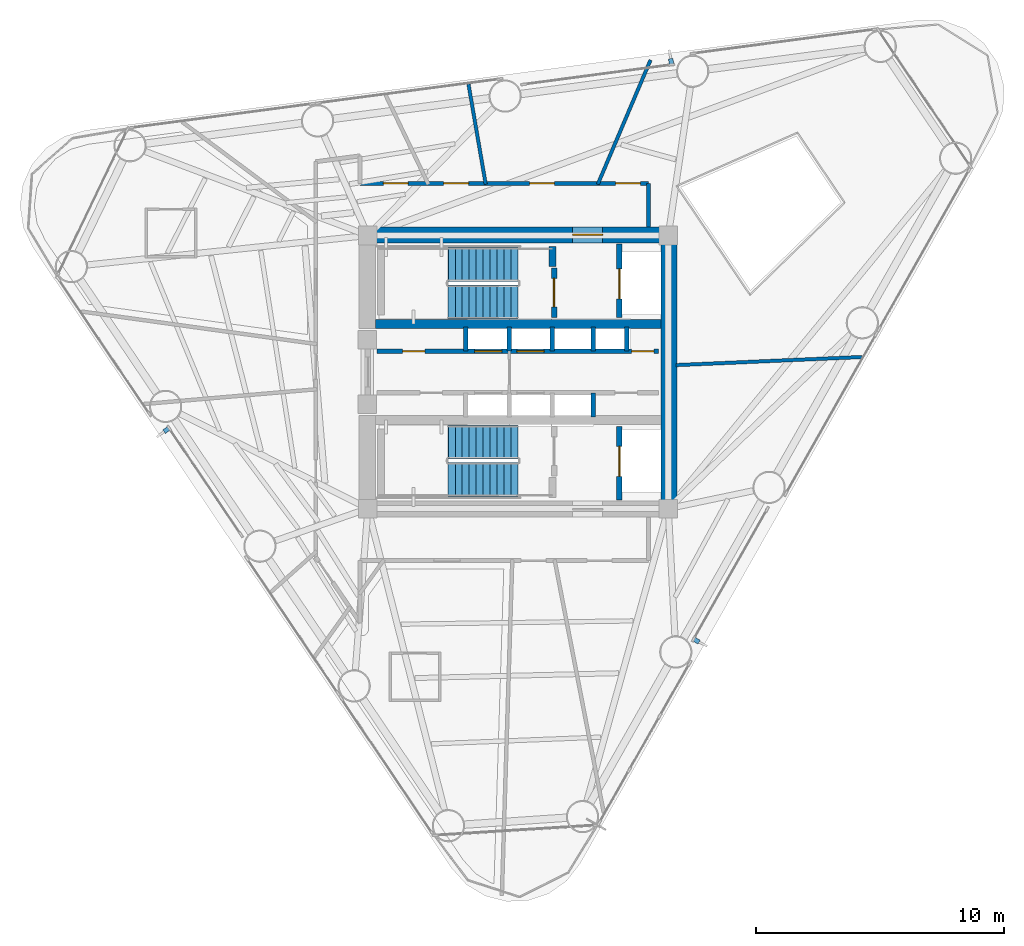
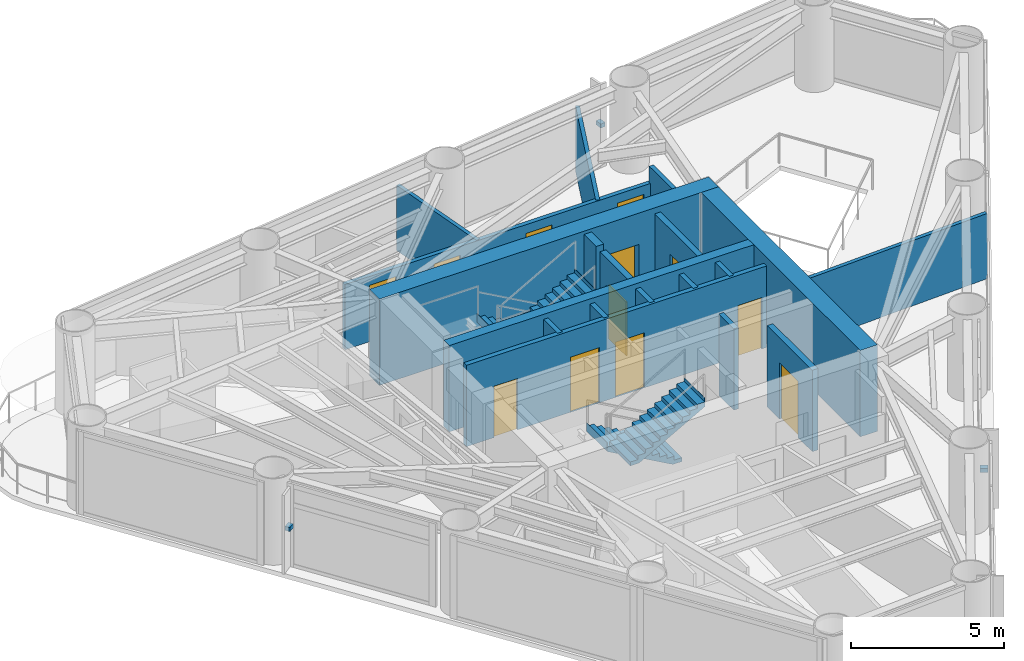
# One storey, part 6 of 9: 19 walls, 12 doors, 4 stair flights, 3 discrete accessories, 12 openings, 2 elements without a shape of their own.
"""IFC4 building model written with IfcOpenShell, lengths in metres."""

import ifcopenshell
import ifcopenshell.guid

model = None  # the IFC model being written
_history = None  # IfcOwnerHistory: only IFC2X3 demands one
_inside = {}  # id of a spatial element -> (the spatial element, [elements in it])
_under = {}  # id of a project, library or spatial element -> (it, [spatial elements below it])
_declared = {}  # id of a project -> (the project, [libraries it declares])
_typed = {}  # id of a type object -> (the type object, [elements of that type])
_made_of = {}  # id of a material, layer set ... -> (it, [elements and type objects made of it])


def new_model(schema):
    """Start an empty IFC model of exactly this schema.

    Asked for "IFC4X3", IfcOpenShell would pick the latest addendum, in which some entities
    have other attributes; the version numbers below select the first issue.
    IFC2X3 requires an IfcOwnerHistory on every rooted entity: one is made here for all.
    """
    global model, _history
    if schema == "IFC4X3":
        model = ifcopenshell.file(schema_version=(4, 3, 0, 0))
    else:
        model = ifcopenshell.file(schema=schema)
    _inside.clear()
    _under.clear()
    _declared.clear()
    _typed.clear()
    _made_of.clear()
    _history = None
    if model.schema == "IFC2X3":
        org = make("IfcOrganization", Name="unknown")
        user = make(
            "IfcPersonAndOrganization",
            ThePerson=make("IfcPerson", FamilyName="unknown"),
            TheOrganization=org,
        )
        app = make(
            "IfcApplication",
            ApplicationDeveloper=org,
            Version="unknown",
            ApplicationFullName="unknown",
            ApplicationIdentifier="unknown",
        )
        _history = make(
            "IfcOwnerHistory",
            OwningUser=user,
            OwningApplication=app,
            ChangeAction="ADDED",
            CreationDate=0,
        )
    return model


def make(cls, **values):
    """One entity of the class cls with the attributes given. An attribute that is None is left unset."""
    return model.create_entity(
        cls, **{name: value for name, value in values.items() if value is not None}
    )


def rooted(cls, **values):
    """An entity with a GlobalId (a new one), such as an element, a storey or a relation."""
    return make(cls, GlobalId=ifcopenshell.guid.new(), OwnerHistory=_history, **values)


def si_unit(unit_type, name, prefix=None):
    """IfcSIUnit, for example si_unit("LENGTHUNIT", "METRE", prefix="MILLI")."""
    return make("IfcSIUnit", UnitType=unit_type, Prefix=prefix, Name=name)


def assignment(units):
    """IfcUnitAssignment: the units of a project."""
    return None if units is None else make("IfcUnitAssignment", Units=units)


def point(xyz):
    """IfcCartesianPoint."""
    return None if xyz is None else make("IfcCartesianPoint", Coordinates=xyz)


def direction(xyz):
    """IfcDirection."""
    return None if xyz is None else make("IfcDirection", DirectionRatios=xyz)


def frame(location, z_axis=None, x_axis=None):
    """IfcAxis2Placement3D, a coordinate frame: its origin and axes. An axis left out is left unset."""
    return make(
        "IfcAxis2Placement3D",
        Location=point(location),
        Axis=direction(z_axis),
        RefDirection=direction(x_axis),
    )


def frame_2d(location, x_axis=None):
    """IfcAxis2Placement2D, a coordinate frame in the plane: its origin and x axis."""
    return make(
        "IfcAxis2Placement2D", Location=point(location), RefDirection=direction(x_axis)
    )


def origin():
    """The frame at (0, 0, 0) with its axes left unset."""
    return frame((0.0, 0.0, 0.0))


def origin_2d():
    """The frame at (0, 0) in the plane with its x axis left unset."""
    return frame_2d((0.0, 0.0))


def place(relative_to, where):
    """IfcLocalPlacement: puts the frame where relative to a parent placement (None: the world)."""
    return make(
        "IfcLocalPlacement", PlacementRelTo=relative_to, RelativePlacement=where
    )


def context(
    kind, dimensions, precision=None, world=None, true_north=None, identifier=None
):
    """IfcGeometricRepresentationContext, for example the 3D "Model" context."""
    return make(
        "IfcGeometricRepresentationContext",
        ContextIdentifier=identifier,
        ContextType=kind,
        CoordinateSpaceDimension=dimensions,
        Precision=precision,
        WorldCoordinateSystem=world,
        TrueNorth=true_north,
    )


def subcontext(parent, identifier, kind, view, scale=None):
    """IfcGeometricRepresentationSubContext, for example "Body" below "Model"."""
    return make(
        "IfcGeometricRepresentationSubContext",
        ContextIdentifier=identifier,
        ContextType=kind,
        ParentContext=parent,
        TargetScale=scale,
        TargetView=view,
    )


def project(units=None, contexts=None):
    """IfcProject with its units and contexts."""
    return rooted(
        "IfcProject",
        Name="project",
        RepresentationContexts=contexts,
        UnitsInContext=assignment(units),
    )


def spatial(cls, under=None, at=None, **own):
    """A site, building, storey or space (cls), placed at a placement, below another one or the project."""
    s = rooted(cls, ObjectPlacement=at, **own)
    if under is not None:
        _under.setdefault(under.id(), (under, []))[1].append(s)
    return s


def polyline(points):
    """IfcPolyline through the points."""
    return make("IfcPolyline", Points=[point(p) for p in points])


def profile(cls, at=None, kind="AREA", **sizes):
    """A parametric profile (cls). Its sizes go by their IFC names, for example OverallWidth=200.0."""
    return make(cls, ProfileType=kind, Position=at, **sizes)


def rectangle(**sizes):
    """IfcRectangleProfileDef."""
    return profile("IfcRectangleProfileDef", **sizes)


def outline(outer, holes=None, kind="AREA"):
    """IfcArbitraryClosedProfileDef: a profile drawn as a closed curve; with holes, ...WithVoids."""
    if holes is None:
        return make("IfcArbitraryClosedProfileDef", ProfileType=kind, OuterCurve=outer)
    return make(
        "IfcArbitraryProfileDefWithVoids",
        ProfileType=kind,
        OuterCurve=outer,
        InnerCurves=holes,
    )


def extrude(swept, where, along, depth):
    """IfcExtrudedAreaSolid: the profile swept, set in the frame where, extruded along a direction by depth."""
    return make(
        "IfcExtrudedAreaSolid",
        SweptArea=swept,
        Position=where,
        ExtrudedDirection=direction(along),
        Depth=depth,
    )


def shape(context_of_items, identifier, shape_type, items):
    """IfcShapeRepresentation: the items that make up one representation, for example the "Body"."""
    return make(
        "IfcShapeRepresentation",
        ContextOfItems=context_of_items,
        RepresentationIdentifier=identifier,
        RepresentationType=shape_type,
        Items=items,
    )


def source(mapping_origin, context_of_items, identifier, shape_type, items):
    """IfcRepresentationMap: a shape defined once, which mapped items show again and again."""
    return make(
        "IfcRepresentationMap",
        MappingOrigin=mapping_origin,
        MappedRepresentation=shape(context_of_items, identifier, shape_type, items),
    )


def transform(
    local_origin,
    x_axis=None,
    y_axis=None,
    z_axis=None,
    scale=None,
    scale2=None,
    scale3=None,
    uniform=True,
):
    """IfcCartesianTransformationOperator3D, or its non-uniform kind. x_axis, y_axis, z_axis: its Axis1, 2, 3."""
    if uniform:
        return make(
            "IfcCartesianTransformationOperator3D",
            Axis1=direction(x_axis),
            Axis2=direction(y_axis),
            LocalOrigin=point(local_origin),
            Scale=scale,
            Axis3=direction(z_axis),
        )
    return make(
        "IfcCartesianTransformationOperator3DnonUniform",
        Axis1=direction(x_axis),
        Axis2=direction(y_axis),
        LocalOrigin=point(local_origin),
        Scale=scale,
        Axis3=direction(z_axis),
        Scale2=scale2,
        Scale3=scale3,
    )


def mapped(mapping_source, mapping_target):
    """IfcMappedItem: shows the shape of a source again, moved by a transform."""
    return make(
        "IfcMappedItem", MappingSource=mapping_source, MappingTarget=mapping_target
    )


def material(Name=None, Category=None):
    """IfcMaterial."""
    return make("IfcMaterial", Name=Name, Category=Category)


def layer(
    of_material, thickness, ventilated=None, Name=None, Category=None, Priority=None
):
    """IfcMaterialLayer: one layer of a wall or slab, of a material (None: an air gap)."""
    return make(
        "IfcMaterialLayer",
        Material=of_material,
        LayerThickness=thickness,
        IsVentilated=ventilated,
        Name=Name,
        Category=Category,
        Priority=Priority,
    )


def layer_set(layers, Name=None):
    """IfcMaterialLayerSet."""
    return make("IfcMaterialLayerSet", MaterialLayers=layers, LayerSetName=Name)


def made_of(thing, what):
    """Note that an element or type object is made of a material, layer set ...; save() writes the relation."""
    if what is not None:
        _made_of.setdefault(what.id(), (what, []))[1].append(thing)
    return thing


def type_object(cls, material=None, **own):
    """A type object (cls), such as IfcWallType, which elements share."""
    return made_of(rooted(cls, **own), material)


def element(
    cls,
    number,
    at=None,
    inside=None,
    cuts=None,
    type_object=None,
    material=None,
    context=None,
    identifier="Body",
    shape_type=None,
    held_by="IfcProductDefinitionShape",
    body=None,
    shapes=None,
    **own,
):
    """One element of the class cls, such as IfcWall. Its Tag is "e" and its number.

    at: its placement. inside: the storey or other place that contains it. cuts: it is an
    opening in that element (IfcRelVoidsElement). A single representation is given by context,
    identifier, shape_type and body (its items); several are given by shapes. held_by: the class
    of the entity that holds the representations. save() writes the other relations.
    """
    e = rooted(cls, Tag="e%d" % number, ObjectPlacement=at, **own)
    if body is not None:
        shapes = [shape(context, identifier, shape_type, body)]
    if shapes is not None:
        e.Representation = make(held_by, Representations=shapes)
    if inside is not None:
        _inside.setdefault(inside.id(), (inside, []))[1].append(e)
    if cuts is not None:
        rooted(
            "IfcRelVoidsElement", RelatingBuildingElement=cuts, RelatedOpeningElement=e
        )
    if type_object is not None:
        _typed.setdefault(type_object.id(), (type_object, []))[1].append(e)
    return made_of(e, material)


def fill(opening, filler):
    """IfcRelFillsElement: the door or window that sits in an opening."""
    return rooted(
        "IfcRelFillsElement",
        RelatingOpeningElement=opening,
        RelatedBuildingElement=filler,
    )


def aggregate(whole, parts):
    """IfcRelAggregates: a whole, such as a stair, and the parts it consists of."""
    return rooted("IfcRelAggregates", RelatingObject=whole, RelatedObjects=parts)


def save(model, path):
    """Write the relations noted so far, then the file.

    IfcRelAggregates (storeys below a building ...), IfcRelContainedInSpatialStructure (elements
    in a storey), IfcRelDefinesByType, IfcRelAssociatesMaterial and IfcRelDeclares: one each for
    every whole, place, type object, material and project.
    """
    for whole, parts in _under.values():
        aggregate(whole, parts)
    for where, things in _inside.values():
        rooted(
            "IfcRelContainedInSpatialStructure",
            RelatedElements=things,
            RelatingStructure=where,
        )
    for kind, things in _typed.values():
        rooted("IfcRelDefinesByType", RelatedObjects=things, RelatingType=kind)
    for what, things in _made_of.values():
        rooted("IfcRelAssociatesMaterial", RelatedObjects=things, RelatingMaterial=what)
    for by, libraries in _declared.values():
        rooted("IfcRelDeclares", RelatingContext=by, RelatedDefinitions=libraries)
    model.write(path)


model = new_model("IFC4")

# Units and contexts
model_context = context("Model", 3, precision=1e-05, world=origin(), true_north=direction((0.0, 1.0)))
body_context = subcontext(model_context, "Body", "Model", "MODEL_VIEW")
ifc_project = project(units=[si_unit("LENGTHUNIT", "METRE"), si_unit("AREAUNIT", "SQUARE_METRE"), si_unit("VOLUMEUNIT", "CUBIC_METRE"), si_unit("PLANEANGLEUNIT", "RADIAN"), si_unit("MASSUNIT", "GRAM", prefix="KILO")], contexts=[model_context])

# Site, building, storey
site_placement = place(None, origin())
site = spatial("IfcSite", under=ifc_project, at=site_placement, CompositionType="ELEMENT")
building_placement = place(site_placement, origin())
building = spatial("IfcBuilding", under=site, at=building_placement, Name="Yunling Apex Tower", CompositionType="ELEMENT")
storey_placement = place(building_placement, frame((0.0, 0.0, 179.449951171875)))
storey = spatial("IfcBuildingStorey", under=building, at=storey_placement, Name="L44", CompositionType="ELEMENT", Elevation=179.449951171875)

# Wall, opening, door
ifc_material_1 = material(Name="Concrete C50", Category="concrete")
ifc_layer_1 = layer(ifc_material_1, 0.64990234375)
ifc_layer_set_1 = layer_set([ifc_layer_1], Name="Concrete C50")
wall_type_1 = type_object("IfcWallType", Name="WL-COR-2", PredefinedType="SHEAR", material=ifc_layer_set_1)
wall_1_placement = place(storey_placement, frame((-6.39990234375, 5.52490234375, 0.0), z_axis=(0.0, 0.0, 1.0), x_axis=(1.0, 0.0, 0.0)))
wall_1 = element("IfcWall", 1, at=wall_1_placement, inside=storey, type_object=wall_type_1, Name="L44 North Core Shear Wall", PredefinedType="SHEAR", context=body_context, shape_type="SweptSolid", body=[
    extrude(rectangle(XDim=12.7998046875, YDim=0.64990234375, at=frame_2d((6.39990234375, 0.0))), origin(), (0.0, 0.0, 1.0), 3.449951171875),
])
opening_1_placement = place(wall_1_placement, frame((8.60009765625, 0.0, 0.0)))
opening_1 = element("IfcOpeningElement", 2, at=opening_1_placement, cuts=wall_1, Name="Opening DR-FFL-1", PredefinedType="OPENING", context=body_context, shape_type="SweptSolid", body=[
    extrude(rectangle(XDim=1.199951171875, YDim=2.199951171875, at=frame_2d((0.60009765625, 1.10009765625))), frame((0.0, 0.3349609375, 0.0), z_axis=(0.0, -1.0, 0.0), x_axis=(1.0, 0.0, 0.0)), (0.0, 0.0, 1.0), 0.669921875),
])
ifc_material_2 = material(Name="Steel Q355B", Category="steel")
door_type_1 = type_object("IfcDoorType", Name="DR-FFL-1", OperationType="NOTDEFINED", PredefinedType="DOOR", material=ifc_material_2)
door_1_placement = place(opening_1_placement, origin())
door_1 = element("IfcDoor", 3, at=door_1_placement, inside=storey, type_object=door_type_1, Name="L44 North Firefighting Lobby Door", OperationType="SINGLE_SWING_LEFT", OverallHeight=2.199951171875, OverallWidth=1.199951171875, PredefinedType="DOOR", context=body_context, shape_type="SweptSolid", body=[
    extrude(rectangle(XDim=1.199951171875, YDim=2.199951171875, at=frame_2d((0.60009765625, 1.10009765625))), frame((0.0, 0.02490234375, 0.0), z_axis=(0.0, -1.0, 0.0), x_axis=(1.0, 0.0, 0.0)), (0.0, 0.0, 1.0), 0.050048828125),
])
fill(opening_1, door_1)

# Walls
wall_2_placement = place(storey_placement, frame((6.074951171875, -5.199951171875, 0.0), z_axis=(0.0, 0.0, 1.0), x_axis=(0.0, 1.0, 0.0)))
element("IfcWall", 4, at=wall_2_placement, inside=storey, type_object=wall_type_1, Name="L44 East Core Shear Wall", PredefinedType="SHEAR", context=body_context, shape_type="SweptSolid", body=[
    extrude(rectangle(XDim=10.39990234375, YDim=0.64990234375, at=frame_2d((5.199951171875, 0.0))), origin(), (0.0, 0.0, 1.0), 3.449951171875),
])
ifc_material_3 = material(Name="Concrete C40", Category="concrete")
ifc_layer_2 = layer(ifc_material_3, 0.360107421875)
ifc_layer_set_2 = layer_set([ifc_layer_2], Name="Concrete C40")
wall_type_2 = type_object("IfcWallType", Name="WL-COR-4", PredefinedType="SHEAR", material=ifc_layer_set_2)
wall_3_placement = place(storey_placement, frame((-5.75, 1.93994140625, 0.0), z_axis=(0.0, 0.0, 1.0), x_axis=(1.0, 0.0, 0.0)))
element("IfcWall", 5, at=wall_3_placement, inside=storey, type_object=wall_type_2, Name="L44 North Internal Core Shear Wall", PredefinedType="SHEAR", context=body_context, shape_type="SweptSolid", body=[
    extrude(rectangle(XDim=11.5, YDim=0.360107421875, at=frame_2d((5.75, 0.0))), origin(), (0.0, 0.0, 1.0), 3.449951171875),
])
ifc_layer_3 = layer(ifc_material_3, 0.280029296875)
ifc_layer_set_3 = layer_set([ifc_layer_3], Name="Concrete C40")
wall_type_3 = type_object("IfcWallType", Name="WL-COR-8", PredefinedType="SHEAR", material=ifc_layer_set_3)
wall_4_placement = place(storey_placement, frame((1.3798828125, 4.25, 0.0), z_axis=(0.0, 0.0, 1.0), x_axis=(0.0, 1.0, 0.0)))
element("IfcWall", 6, at=wall_4_placement, inside=storey, type_object=wall_type_3, Name="L44 ST-1 East Landing Bearing Pier", PredefinedType="SHEAR", context=body_context, shape_type="SweptSolid", body=[
    extrude(rectangle(XDim=0.800048828125, YDim=0.280029296875, at=frame_2d((0.39990234375, 0.0))), origin(), (0.0, 0.0, 1.0), 3.449951171875),
])

# Wall, openings, doors
ifc_material_4 = material(Name="Gypsum board acoustic partition")
ifc_layer_4 = layer(ifc_material_4, 0.159912109375)
ifc_layer_set_4 = layer_set([ifc_layer_4], Name="Gypsum board acoustic partition")
wall_type_4 = type_object("IfcWallType", Name="WL-PRT-1", PredefinedType="PARTITIONING", material=ifc_layer_set_4)
wall_5_placement = place(storey_placement, frame((-6.360107421875, 7.60009765625, 0.0), z_axis=(0.0, 0.0, 1.0), x_axis=(1.0, 0.0, 0.0)))
wall_5 = element("IfcWall", 7, at=wall_5_placement, inside=storey, type_object=wall_type_4, Name="WL-CORR-L44-06", PredefinedType="PARTITIONING", context=body_context, shape_type="SweptSolid", body=[
    extrude(rectangle(XDim=11.610107421875, YDim=0.159912109375, at=frame_2d((5.80517578125, 0.0))), origin(), (0.0, 0.0, 1.0), 2.60498046875),
])
opening_2_placement = place(wall_5_placement, frame((0.93359375, 0.0, 0.0)))
opening_2 = element("IfcOpeningElement", 8, at=opening_2_placement, cuts=wall_5, Name="Opening DR-OFF-1", PredefinedType="OPENING", context=body_context, shape_type="SweptSolid", body=[
    extrude(rectangle(XDim=1.0, YDim=2.25, at=frame_2d((0.5, 1.125))), frame((0.0, 0.08984375, 0.0), z_axis=(0.0, -1.0, 0.0), x_axis=(1.0, 0.0, 0.0)), (0.0, 0.0, 1.0), 0.179931640625),
])
opening_3_placement = place(wall_5_placement, frame((3.36376953125, 0.0, 0.0)))
opening_3 = element("IfcOpeningElement", 9, at=opening_3_placement, cuts=wall_5, Name="Opening DR-OFF-1", PredefinedType="OPENING", context=body_context, shape_type="SweptSolid", body=[
    extrude(rectangle(XDim=1.0, YDim=2.25, at=frame_2d((0.5, 1.125))), frame((0.0, 0.08984375, 0.0), z_axis=(0.0, -1.0, 0.0), x_axis=(1.0, 0.0, 0.0)), (0.0, 0.0, 1.0), 0.179931640625),
])
opening_4_placement = place(wall_5_placement, frame((6.826416015625, 0.0, 0.0)))
opening_4 = element("IfcOpeningElement", 10, at=opening_4_placement, cuts=wall_5, Name="Opening DR-OFF-1", PredefinedType="OPENING", context=body_context, shape_type="SweptSolid", body=[
    extrude(rectangle(XDim=1.0, YDim=2.25, at=frame_2d((0.5, 1.125))), frame((0.0, 0.08984375, 0.0), z_axis=(0.0, -1.0, 0.0), x_axis=(1.0, 0.0, 0.0)), (0.0, 0.0, 1.0), 0.179931640625),
])
opening_5_placement = place(wall_5_placement, frame((10.284912109375, 0.0, 0.0)))
opening_5 = element("IfcOpeningElement", 11, at=opening_5_placement, cuts=wall_5, Name="Opening DR-OFF-1", PredefinedType="OPENING", context=body_context, shape_type="SweptSolid", body=[
    extrude(rectangle(XDim=1.0, YDim=2.25, at=frame_2d((0.5, 1.125))), frame((0.0, 0.08984375, 0.0), z_axis=(0.0, -1.0, 0.0), x_axis=(1.0, 0.0, 0.0)), (0.0, 0.0, 1.0), 0.179931640625),
])
ifc_material_5 = material(Name="Bronze anodised aluminium", Category="aluminium")
door_type_2 = type_object("IfcDoorType", Name="DR-OFF-1", OperationType="NOTDEFINED", PredefinedType="DOOR", material=ifc_material_5)
door_2_placement = place(opening_2_placement, origin())
door_2 = element("IfcDoor", 12, at=door_2_placement, inside=storey, type_object=door_type_2, Name="L44 Club Lounge Door", OperationType="SINGLE_SWING_RIGHT", OverallHeight=2.25, OverallWidth=1.0, PredefinedType="DOOR", context=body_context, shape_type="SweptSolid", body=[
    extrude(rectangle(XDim=1.0, YDim=2.25, at=frame_2d((0.5, 1.125))), frame((0.0, 0.02490234375, 0.0), z_axis=(0.0, -1.0, 0.0), x_axis=(1.0, 0.0, 0.0)), (0.0, 0.0, 1.0), 0.050048828125),
])
fill(opening_2, door_2)
door_3_placement = place(opening_3_placement, origin())
door_3 = element("IfcDoor", 13, at=door_3_placement, inside=storey, type_object=door_type_2, Name="L44 Club Lounge Door", OperationType="SINGLE_SWING_LEFT", OverallHeight=2.25, OverallWidth=1.0, PredefinedType="DOOR", context=body_context, shape_type="SweptSolid", body=[
    extrude(rectangle(XDim=1.0, YDim=2.25, at=frame_2d((0.5, 1.125))), frame((0.0, 0.02490234375, 0.0), z_axis=(0.0, -1.0, 0.0), x_axis=(1.0, 0.0, 0.0)), (0.0, 0.0, 1.0), 0.050048828125),
])
fill(opening_3, door_3)
door_4_placement = place(opening_4_placement, origin())
door_4 = element("IfcDoor", 14, at=door_4_placement, inside=storey, type_object=door_type_2, Name="L44 Club Lounge Door", OperationType="SINGLE_SWING_RIGHT", OverallHeight=2.25, OverallWidth=1.0, PredefinedType="DOOR", context=body_context, shape_type="SweptSolid", body=[
    extrude(rectangle(XDim=1.0, YDim=2.25, at=frame_2d((0.5, 1.125))), frame((0.0, 0.02490234375, 0.0), z_axis=(0.0, -1.0, 0.0), x_axis=(1.0, 0.0, 0.0)), (0.0, 0.0, 1.0), 0.050048828125),
])
fill(opening_4, door_4)
door_5_placement = place(opening_5_placement, origin())
door_5 = element("IfcDoor", 15, at=door_5_placement, inside=storey, type_object=door_type_2, Name="L44 Club Lounge Door", OperationType="SINGLE_SWING_LEFT", OverallHeight=2.25, OverallWidth=1.0, PredefinedType="DOOR", context=body_context, shape_type="SweptSolid", body=[
    extrude(rectangle(XDim=1.0, YDim=2.25, at=frame_2d((0.5, 1.125))), frame((0.0, 0.02490234375, 0.0), z_axis=(0.0, -1.0, 0.0), x_axis=(1.0, 0.0, 0.0)), (0.0, 0.0, 1.0), 0.050048828125),
])
fill(opening_5, door_5)

# Walls
wall_6_placement = place(storey_placement, frame((5.25, 7.60009765625, 0.0), z_axis=(0.0, 0.0, 1.0), x_axis=(0.0, -1.0, 0.0)))
element("IfcWall", 16, at=wall_6_placement, inside=storey, type_object=wall_type_4, Name="WL-CORR-L44-07", PredefinedType="PARTITIONING", context=body_context, shape_type="SweptSolid", body=[
    extrude(rectangle(XDim=1.75, YDim=0.159912109375, at=frame_2d((0.875, 0.0))), origin(), (0.0, 0.0, 1.0), 3.25),
])
ifc_layer_5 = layer(ifc_material_4, 0.139892578125)
ifc_layer_set_5 = layer_set([ifc_layer_5], Name="Gypsum board acoustic partition")
wall_type_5 = type_object("IfcWallType", Name="WL-PRT-2", PredefinedType="PARTITIONING", material=ifc_layer_set_5)
wall_7_placement = place(storey_placement, frame((6.360107421875, 0.277587890625, 0.0), z_axis=(0.0, 0.0, 1.0), x_axis=(0.999047543566, 0.043634913719, 0.0)))
element("IfcWall", 17, at=wall_7_placement, inside=storey, type_object=wall_type_5, Name="WL-RAD-L44-01", PredefinedType="PARTITIONING", context=body_context, shape_type="SweptSolid", body=[
    extrude(rectangle(XDim=7.5029296875, YDim=0.139892578125, at=frame_2d((3.75146484375, 0.0))), origin(), (0.0, 0.0, 1.0), 2.60498046875),
])
wall_8_placement = place(storey_placement, frame((3.208984375, 7.56005859375, 0.0), z_axis=(0.0, 0.0, 1.0), x_axis=(0.390725109397, 0.920507408382, 0.0)))
element("IfcWall", 18, at=wall_8_placement, inside=storey, type_object=wall_type_5, Name="WL-RAD-L44-02", PredefinedType="PARTITIONING", context=body_context, shape_type="SweptSolid", body=[
    extrude(rectangle(XDim=5.437255859375, YDim=0.139892578125, at=frame_2d((2.71875, 0.0))), origin(), (0.0, 0.0, 1.0), 2.60498046875),
])
wall_9_placement = place(storey_placement, frame((-1.302734375, 7.56005859375, 0.0), z_axis=(0.0, 0.0, 1.0), x_axis=(-0.169831033654, 0.985473195987, 0.0)))
element("IfcWall", 19, at=wall_9_placement, inside=storey, type_object=wall_type_5, Name="WL-RAD-L44-03", PredefinedType="PARTITIONING", context=body_context, shape_type="SweptSolid", body=[
    extrude(rectangle(XDim=4.09423828125, YDim=0.139892578125, at=frame_2d((2.047119140625, 0.0))), origin(), (0.0, 0.0, 1.0), 2.60498046875),
])

# Wall, opening, door
ifc_material_6 = material(Name="Autoclaved aerated concrete masonry", Category="masonry")
ifc_layer_6 = layer(ifc_material_6, 0.219970703125)
ifc_layer_set_6 = layer_set([ifc_layer_6], Name="Autoclaved aerated concrete masonry")
wall_type_6 = type_object("IfcWallType", Name="WL-SHF-1", PredefinedType="PLUMBINGWALL", material=ifc_layer_set_6)
wall_10_placement = place(storey_placement, frame((1.449951171875, 2.199951171875, 0.0), z_axis=(0.0, 0.0, 1.0), x_axis=(0.0, 1.0, 0.0)))
wall_10 = element("IfcWall", 20, at=wall_10_placement, inside=storey, type_object=wall_type_6, Name="WL-ST1-E-L44", PredefinedType="PLUMBINGWALL", context=body_context, shape_type="SweptSolid", body=[
    extrude(rectangle(XDim=1.97998046875, YDim=0.219970703125, at=frame_2d((0.989990234375, 0.0))), origin(), (0.0, 0.0, 1.0), 3.25),
])
opening_6_placement = place(wall_10_placement, frame((0.419921875, 0.0, 0.0)))
opening_6 = element("IfcOpeningElement", 21, at=opening_6_placement, cuts=wall_10, Name="Opening DR-ST-1", PredefinedType="OPENING", context=body_context, shape_type="SweptSolid", body=[
    extrude(rectangle(XDim=1.14990234375, YDim=2.14990234375, at=frame_2d((0.574951171875, 1.074951171875))), frame((0.0, 0.1201171875, 0.0), z_axis=(0.0, -1.0, 0.0), x_axis=(1.0, 0.0, 0.0)), (0.0, 0.0, 1.0), 0.239990234375),
])
door_type_3 = type_object("IfcDoorType", Name="DR-ST-1", OperationType="NOTDEFINED", PredefinedType="DOOR", material=ifc_material_2)
door_6_placement = place(opening_6_placement, origin())
door_6 = element("IfcDoor", 22, at=door_6_placement, inside=storey, type_object=door_type_3, Name="L44 Stair ST-1 Fire Door", OperationType="SINGLE_SWING_LEFT", OverallHeight=2.14990234375, OverallWidth=1.14990234375, PredefinedType="DOOR", context=body_context, shape_type="SweptSolid", body=[
    extrude(rectangle(XDim=1.14990234375, YDim=2.14990234375, at=frame_2d((0.574951171875, 1.074951171875))), frame((0.0, 0.02490234375, 0.0), z_axis=(0.0, -1.0, 0.0), x_axis=(1.0, 0.0, 0.0)), (0.0, 0.0, 1.0), 0.050048828125),
])
fill(opening_6, door_6)

wall_11_placement = place(storey_placement, frame((4.080078125, 2.199951171875, 0.0), z_axis=(0.0, 0.0, 1.0), x_axis=(0.0, 1.0, 0.0)))
wall_11 = element("IfcWall", 23, at=wall_11_placement, inside=storey, type_object=wall_type_6, Name="WL-FFL1-W-L44", PredefinedType="PLUMBINGWALL", context=body_context, shape_type="SweptSolid", body=[
    extrude(rectangle(XDim=2.949951171875, YDim=0.219970703125, at=frame_2d((1.47509765625, 0.0))), origin(), (0.0, 0.0, 1.0), 3.25),
])
opening_7_placement = place(wall_11_placement, frame((0.75, 0.0, 0.0)))
opening_7 = element("IfcOpeningElement", 24, at=opening_7_placement, cuts=wall_11, Name="Opening LD-FFL-1", PredefinedType="OPENING", context=body_context, shape_type="SweptSolid", body=[
    extrude(rectangle(XDim=1.199951171875, YDim=2.25, at=frame_2d((0.60009765625, 1.125))), frame((0.0, 0.1201171875, 0.0), z_axis=(0.0, -1.0, 0.0), x_axis=(1.0, 0.0, 0.0)), (0.0, 0.0, 1.0), 0.239990234375),
])
door_type_4 = type_object("IfcDoorType", Name="LD-FFL-1", OperationType="DOUBLE_DOOR_SLIDING", PredefinedType="DOOR", material=ifc_material_2)
door_7_placement = place(opening_7_placement, origin())
door_7 = element("IfcDoor", 25, at=door_7_placement, inside=storey, type_object=door_type_4, Name="L44 Lift FFL-1 Landing Door", OperationType="DOUBLE_DOOR_SLIDING", OverallHeight=2.25, OverallWidth=1.199951171875, PredefinedType="DOOR", context=body_context, shape_type="SweptSolid", body=[
    extrude(rectangle(XDim=1.199951171875, YDim=2.25, at=frame_2d((0.60009765625, 1.125))), frame((0.0, 0.02490234375, 0.0), z_axis=(0.0, -1.0, 0.0), x_axis=(1.0, 0.0, 0.0)), (0.0, 0.0, 1.0), 0.050048828125),
])
fill(opening_7, door_7)

wall_12_placement = place(storey_placement, frame((4.080078125, -5.14990234375, 0.0), z_axis=(0.0, 0.0, 1.0), x_axis=(0.0, 1.0, 0.0)))
wall_12 = element("IfcWall", 26, at=wall_12_placement, inside=storey, type_object=wall_type_6, Name="WL-FFL2-W-L44", PredefinedType="PLUMBINGWALL", context=body_context, shape_type="SweptSolid", body=[
    extrude(rectangle(XDim=2.949951171875, YDim=0.219970703125, at=frame_2d((1.47509765625, 0.0))), origin(), (0.0, 0.0, 1.0), 3.25),
])
opening_8_placement = place(wall_12_placement, frame((0.949951171875, 0.0, 0.0)))
opening_8 = element("IfcOpeningElement", 27, at=opening_8_placement, cuts=wall_12, Name="Opening LD-FFL-1", PredefinedType="OPENING", context=body_context, shape_type="SweptSolid", body=[
    extrude(rectangle(XDim=1.199951171875, YDim=2.25, at=frame_2d((0.60009765625, 1.125))), frame((0.0, 0.1201171875, 0.0), z_axis=(0.0, -1.0, 0.0), x_axis=(1.0, 0.0, 0.0)), (0.0, 0.0, 1.0), 0.239990234375),
])
door_8_placement = place(opening_8_placement, origin())
door_8 = element("IfcDoor", 28, at=door_8_placement, inside=storey, type_object=door_type_4, Name="L44 Lift FFL-2 Landing Door", OperationType="DOUBLE_DOOR_SLIDING", OverallHeight=2.25, OverallWidth=1.199951171875, PredefinedType="DOOR", context=body_context, shape_type="SweptSolid", body=[
    extrude(rectangle(XDim=1.199951171875, YDim=2.25, at=frame_2d((0.60009765625, 1.125))), frame((0.0, 0.02490234375, 0.0), z_axis=(0.0, -1.0, 0.0), x_axis=(1.0, 0.0, 0.0)), (0.0, 0.0, 1.0), 0.050048828125),
])
fill(opening_8, door_8)

# Walls
ifc_layer_7 = layer(ifc_material_6, 0.179931640625)
ifc_layer_set_7 = layer_set([ifc_layer_7], Name="Autoclaved aerated concrete masonry")
wall_type_7 = type_object("IfcWallType", Name="WL-SHF-2", PredefinedType="PLUMBINGWALL", material=ifc_layer_set_7)
for number, where, z_axis, x_axis, name in (
    (29, (-2.10009765625, 0.840087890625, 0.0), (0.0, 0.0, 1.0), (0.0, 1.0, 0.0), "WL-BNK-LM-N-L44"),
    (30, (-0.35009765625, 0.840087890625, 0.0), (0.0, 0.0, 1.0), (0.0, 1.0, 0.0), "WL-DIV-M12-L44"),
    (31, (1.3798828125, 0.840087890625, 0.0), (0.0, 0.0, 1.0), (0.0, 1.0, 0.0), "WL-BNK-MH-N-L44"),
    (32, (3.02001953125, 0.840087890625, 0.0), (0.0, 0.0, 1.0), (0.0, 1.0, 0.0), "WL-DIV-H13-L44"),
    (33, (4.3798828125, 0.840087890625, 0.0), (0.0, 0.0, 1.0), (0.0, 1.0, 0.0), "WL-END-H3E-L44"),
    (34, (3.02001953125, -1.820068359375, 0.0), (0.0, 0.0, 1.0), (0.0, 1.0, 0.0), "WL-END-H2E-L44"),
):
    element("IfcWall", number, at=place(storey_placement, frame(where, z_axis=z_axis, x_axis=x_axis)), inside=storey, type_object=wall_type_7, Name=name, PredefinedType="PLUMBINGWALL", context=body_context, shape_type="SweptSolid", body=[
        extrude(rectangle(XDim=0.97998046875, YDim=0.179931640625, at=frame_2d((0.489990234375, 0.0))), origin(), (0.0, 0.0, 1.0), 3.25),
    ])

# Wall, openings, doors
wall_13_placement = place(storey_placement, frame((-5.679931640625, 0.840087890625, 0.0), z_axis=(0.0, 0.0, 1.0), x_axis=(1.0, 0.0, 0.0)))
wall_13 = element("IfcWall", 35, at=wall_13_placement, inside=storey, type_object=wall_type_7, Name="WL-LOB-N-L44", PredefinedType="PLUMBINGWALL", context=body_context, shape_type="SweptSolid", body=[
    extrude(rectangle(XDim=11.329833984375, YDim=0.179931640625, at=frame_2d((5.6650390625, 0.0))), origin(), (0.0, 0.0, 1.0), 3.25),
])
opening_9_placement = place(wall_13_placement, frame((1.030029296875, 0.0, 0.0)))
opening_9 = element("IfcOpeningElement", 36, at=opening_9_placement, cuts=wall_13, Name="Opening DR-SHF-1", PredefinedType="OPENING", context=body_context, shape_type="SweptSolid", body=[
    extrude(rectangle(XDim=0.89990234375, YDim=2.050048828125, at=frame_2d((0.449951171875, 1.02490234375))), frame((0.0, 0.10009765625, 0.0), z_axis=(0.0, -1.0, 0.0), x_axis=(1.0, 0.0, 0.0)), (0.0, 0.0, 1.0), 0.199951171875),
])
opening_10_placement = place(wall_13_placement, frame((3.929931640625, 0.0, 0.0)))
opening_10 = element("IfcOpeningElement", 37, at=opening_10_placement, cuts=wall_13, Name="Opening LD-PAS-1", PredefinedType="OPENING", context=body_context, shape_type="SweptSolid", body=[
    extrude(rectangle(XDim=1.10009765625, YDim=2.199951171875, at=frame_2d((0.550048828125, 1.10009765625))), frame((0.0, 0.10009765625, 0.0), z_axis=(0.0, -1.0, 0.0), x_axis=(1.0, 0.0, 0.0)), (0.0, 0.0, 1.0), 0.199951171875),
])
opening_11_placement = place(wall_13_placement, frame((5.6298828125, 0.0, 0.0)))
opening_11 = element("IfcOpeningElement", 38, at=opening_11_placement, cuts=wall_13, Name="Opening LD-PAS-1", PredefinedType="OPENING", context=body_context, shape_type="SweptSolid", body=[
    extrude(rectangle(XDim=1.10009765625, YDim=2.199951171875, at=frame_2d((0.550048828125, 1.10009765625))), frame((0.0, 0.10009765625, 0.0), z_axis=(0.0, -1.0, 0.0), x_axis=(1.0, 0.0, 0.0)), (0.0, 0.0, 1.0), 0.199951171875),
])
opening_12_placement = place(wall_13_placement, frame((10.25, 0.0, 0.0)))
opening_12 = element("IfcOpeningElement", 39, at=opening_12_placement, cuts=wall_13, Name="Opening DR-SHF-1", PredefinedType="OPENING", context=body_context, shape_type="SweptSolid", body=[
    extrude(rectangle(XDim=0.89990234375, YDim=2.050048828125, at=frame_2d((0.449951171875, 1.02490234375))), frame((0.0, 0.10009765625, 0.0), z_axis=(0.0, -1.0, 0.0), x_axis=(1.0, 0.0, 0.0)), (0.0, 0.0, 1.0), 0.199951171875),
])
door_type_5 = type_object("IfcDoorType", Name="DR-SHF-1", OperationType="NOTDEFINED", PredefinedType="DOOR", material=ifc_material_2)
door_9_placement = place(opening_9_placement, origin())
door_9 = element("IfcDoor", 40, at=door_9_placement, inside=storey, type_object=door_type_5, Name="L44 LV Switchgear Door", OperationType="SINGLE_SWING_RIGHT", OverallHeight=2.050048828125, OverallWidth=0.89990234375, PredefinedType="DOOR", context=body_context, shape_type="SweptSolid", body=[
    extrude(rectangle(XDim=0.89990234375, YDim=2.050048828125, at=frame_2d((0.449951171875, 1.02490234375))), frame((0.0, 0.02490234375, 0.0), z_axis=(0.0, -1.0, 0.0), x_axis=(1.0, 0.0, 0.0)), (0.0, 0.0, 1.0), 0.050048828125),
])
fill(opening_9, door_9)
door_10_placement = place(opening_12_placement, origin())
door_10 = element("IfcDoor", 41, at=door_10_placement, inside=storey, type_object=door_type_5, Name="L44 Core Janitor Closet Door", OperationType="SINGLE_SWING_LEFT", OverallHeight=2.050048828125, OverallWidth=0.89990234375, PredefinedType="DOOR", context=body_context, shape_type="SweptSolid", body=[
    extrude(rectangle(XDim=0.89990234375, YDim=2.050048828125, at=frame_2d((0.449951171875, 1.02490234375))), frame((0.0, 0.02490234375, 0.0), z_axis=(0.0, -1.0, 0.0), x_axis=(1.0, 0.0, 0.0)), (0.0, 0.0, 1.0), 0.050048828125),
])
fill(opening_12, door_10)
ifc_material_7 = material(Name="Silver anodised aluminium", Category="aluminium")
door_type_6 = type_object("IfcDoorType", Name="LD-PAS-1", OperationType="DOUBLE_DOOR_SLIDING", PredefinedType="DOOR", material=ifc_material_7)
door_11_placement = place(opening_10_placement, origin())
door_11 = element("IfcDoor", 42, at=door_11_placement, inside=storey, type_object=door_type_6, Name="L44 Lift PL-M1 Landing Door", OperationType="DOUBLE_DOOR_SLIDING", OverallHeight=2.199951171875, OverallWidth=1.10009765625, PredefinedType="DOOR", context=body_context, shape_type="SweptSolid", body=[
    extrude(rectangle(XDim=1.10009765625, YDim=2.199951171875, at=frame_2d((0.550048828125, 1.10009765625))), frame((0.0, 0.02490234375, 0.0), z_axis=(0.0, -1.0, 0.0), x_axis=(1.0, 0.0, 0.0)), (0.0, 0.0, 1.0), 0.050048828125),
])
fill(opening_10, door_11)
door_12_placement = place(opening_11_placement, origin())
door_12 = element("IfcDoor", 43, at=door_12_placement, inside=storey, type_object=door_type_6, Name="L44 Lift PL-M2 Landing Door", OperationType="DOUBLE_DOOR_SLIDING", OverallHeight=2.199951171875, OverallWidth=1.10009765625, PredefinedType="DOOR", context=body_context, shape_type="SweptSolid", body=[
    extrude(rectangle(XDim=1.10009765625, YDim=2.199951171875, at=frame_2d((0.550048828125, 1.10009765625))), frame((0.0, 0.02490234375, 0.0), z_axis=(0.0, -1.0, 0.0), x_axis=(1.0, 0.0, 0.0)), (0.0, 0.0, 1.0), 0.050048828125),
])
fill(opening_11, door_12)

# Stair, stair flights
stair_type = type_object("IfcStairType", Name="ST-TWR-2", PredefinedType="HALF_TURN_STAIR", material=ifc_material_3)
stair_1_placement = place(storey_placement, origin())
stair_1 = element("IfcStair", 44, at=stair_1_placement, inside=storey, type_object=stair_type, Name="L44 North Core Smokeproof Exit Stair ST-1", PredefinedType="HALF_TURN_STAIR")
stair_flight_type = type_object("IfcStairFlightType", Name="SFL-TWR-2", PredefinedType="STRAIGHT", material=ifc_material_3)
stair_flight_1_placement = place(storey_placement, frame((-0.010009765625, 4.330078125, 0.0), z_axis=(0.0, 0.0, 1.0), x_axis=(-1.0, 0.0, 0.0)))
stair_flight_1 = element("IfcStairFlight", 45, at=stair_flight_1_placement, type_object=stair_flight_type, Name="ST-1 flight 1", NumberOfRisers=11, NumberOfTreads=10, PredefinedType="STRAIGHT", RiserHeight=0.156818182, TreadLength=0.28, context=body_context, shape_type="SweptSolid", body=[
    extrude(outline(polyline([(-0.011962890625, 0.0), (-0.011962890625, 0.15673828125), (0.0, 0.15673828125), (0.280029296875, 0.15673828125), (0.280029296875, 0.313720703125), (0.56005859375, 0.313720703125), (0.56005859375, 0.470458984375), (0.840087890625, 0.470458984375), (0.840087890625, 0.627197265625), (1.1201171875, 0.627197265625), (1.1201171875, 0.7841796875), (1.39990234375, 0.7841796875), (1.39990234375, 0.94091796875), (1.679931640625, 0.94091796875), (1.679931640625, 1.09765625), (1.9599609375, 1.09765625), (1.9599609375, 1.254638671875), (2.239990234375, 1.254638671875), (2.239990234375, 1.411376953125), (2.52001953125, 1.411376953125), (2.52001953125, 1.568115234375), (2.800048828125, 1.568115234375), (2.800048828125, 1.72509765625), (2.81201171875, 1.72509765625), (2.81201171875, 1.385009765625), (0.3271484375, 0.0), (-0.011962890625, 0.0)])), frame((0.0, 0.68017578125, 0.0), z_axis=(0.0, -1.0, 0.0), x_axis=(1.0, 0.0, 0.0)), (0.0, 0.0, 1.0), 1.360107421875),
])
stair_flight_2_placement = place(storey_placement, frame((-2.81005859375, 2.820068359375, 1.72509765625), z_axis=(0.0, 0.0, 1.0), x_axis=(1.0, 0.0, 0.0)))
stair_flight_2 = element("IfcStairFlight", 46, at=stair_flight_2_placement, type_object=stair_flight_type, Name="ST-1 flight 2", NumberOfRisers=11, NumberOfTreads=10, PredefinedType="STRAIGHT", RiserHeight=0.156818182, TreadLength=0.28, context=body_context, shape_type="SweptSolid", body=[
    extrude(outline(polyline([(-0.011962890625, 0.0), (-0.011962890625, 0.15673828125), (0.0, 0.15673828125), (0.280029296875, 0.15673828125), (0.280029296875, 0.313720703125), (0.56005859375, 0.313720703125), (0.56005859375, 0.470458984375), (0.840087890625, 0.470458984375), (0.840087890625, 0.627197265625), (1.1201171875, 0.627197265625), (1.1201171875, 0.7841796875), (1.39990234375, 0.7841796875), (1.39990234375, 0.94091796875), (1.679931640625, 0.94091796875), (1.679931640625, 1.09765625), (1.9599609375, 1.09765625), (1.9599609375, 1.254638671875), (2.239990234375, 1.254638671875), (2.239990234375, 1.411376953125), (2.52001953125, 1.411376953125), (2.52001953125, 1.568115234375), (2.800048828125, 1.568115234375), (2.800048828125, 1.72509765625), (2.81201171875, 1.72509765625), (2.81201171875, 1.385009765625), (0.3271484375, 0.0), (-0.011962890625, 0.0)])), frame((0.0, 0.68017578125, 0.0), z_axis=(0.0, -1.0, 0.0), x_axis=(1.0, 0.0, 0.0)), (0.0, 0.0, 1.0), 1.360107421875),
])
aggregate(stair_1, [stair_flight_1, stair_flight_2])

stair_2_placement = place(storey_placement, origin())
stair_2 = element("IfcStair", 47, at=stair_2_placement, inside=storey, type_object=stair_type, Name="L44 South Core Smokeproof Exit Stair ST-2", PredefinedType="HALF_TURN_STAIR")
stair_flight_3_placement = place(storey_placement, frame((-0.010009765625, -2.820068359375, 0.0), z_axis=(0.0, 0.0, 1.0), x_axis=(-1.0, 0.0, 0.0)))
stair_flight_3 = element("IfcStairFlight", 48, at=stair_flight_3_placement, type_object=stair_flight_type, Name="ST-2 flight 1", NumberOfRisers=11, NumberOfTreads=10, PredefinedType="STRAIGHT", RiserHeight=0.156818182, TreadLength=0.28, context=body_context, shape_type="SweptSolid", body=[
    extrude(outline(polyline([(-0.011962890625, 0.0), (-0.011962890625, 0.15673828125), (0.0, 0.15673828125), (0.280029296875, 0.15673828125), (0.280029296875, 0.313720703125), (0.56005859375, 0.313720703125), (0.56005859375, 0.470458984375), (0.840087890625, 0.470458984375), (0.840087890625, 0.627197265625), (1.1201171875, 0.627197265625), (1.1201171875, 0.7841796875), (1.39990234375, 0.7841796875), (1.39990234375, 0.94091796875), (1.679931640625, 0.94091796875), (1.679931640625, 1.09765625), (1.9599609375, 1.09765625), (1.9599609375, 1.254638671875), (2.239990234375, 1.254638671875), (2.239990234375, 1.411376953125), (2.52001953125, 1.411376953125), (2.52001953125, 1.568115234375), (2.800048828125, 1.568115234375), (2.800048828125, 1.72509765625), (2.81201171875, 1.72509765625), (2.81201171875, 1.385009765625), (0.3271484375, 0.0), (-0.011962890625, 0.0)])), frame((0.0, 0.68017578125, 0.0), z_axis=(0.0, -1.0, 0.0), x_axis=(1.0, 0.0, 0.0)), (0.0, 0.0, 1.0), 1.360107421875),
])
stair_flight_4_placement = place(storey_placement, frame((-2.81005859375, -4.330078125, 1.72509765625), z_axis=(0.0, 0.0, 1.0), x_axis=(1.0, 0.0, 0.0)))
stair_flight_4 = element("IfcStairFlight", 49, at=stair_flight_4_placement, type_object=stair_flight_type, Name="ST-2 flight 2", NumberOfRisers=11, NumberOfTreads=10, PredefinedType="STRAIGHT", RiserHeight=0.156818182, TreadLength=0.28, context=body_context, shape_type="SweptSolid", body=[
    extrude(outline(polyline([(-0.011962890625, 0.0), (-0.011962890625, 0.15673828125), (0.0, 0.15673828125), (0.280029296875, 0.15673828125), (0.280029296875, 0.313720703125), (0.56005859375, 0.313720703125), (0.56005859375, 0.470458984375), (0.840087890625, 0.470458984375), (0.840087890625, 0.627197265625), (1.1201171875, 0.627197265625), (1.1201171875, 0.7841796875), (1.39990234375, 0.7841796875), (1.39990234375, 0.94091796875), (1.679931640625, 0.94091796875), (1.679931640625, 1.09765625), (1.9599609375, 1.09765625), (1.9599609375, 1.254638671875), (2.239990234375, 1.254638671875), (2.239990234375, 1.411376953125), (2.52001953125, 1.411376953125), (2.52001953125, 1.568115234375), (2.800048828125, 1.568115234375), (2.800048828125, 1.72509765625), (2.81201171875, 1.72509765625), (2.81201171875, 1.385009765625), (0.3271484375, 0.0), (-0.011962890625, 0.0)])), frame((0.0, 0.68017578125, 0.0), z_axis=(0.0, -1.0, 0.0), x_axis=(1.0, 0.0, 0.0)), (0.0, 0.0, 1.0), 1.360107421875),
])
aggregate(stair_2, [stair_flight_3, stair_flight_4])

# Discrete accessories
discrete_accessory_type = type_object("IfcDiscreteAccessoryType", Name="BK-FIN-1", PredefinedType="BRACKET", material=ifc_material_2)
shared_shape = source(origin(), body_context, "Body", "SweptSolid", [
    extrude(rectangle(XDim=0.179931640625, YDim=0.260009765625, at=origin_2d()), origin(), (0.0, 0.0, 1.0), 0.159912109375),
])
for number, where, z_axis, x_axis, name in (
    (50, (7.177490234375, -10.814697265625, 1.55517578125), (0.0, 0.0, 1.0), (0.493031062956, 0.87001170737, 0.0), "CW-L44-F1-B2-BRK-01-1"),
    (51, (6.164794921875, 12.493408203125, 1.55517578125), (0.0, 0.0, 1.0), (-0.9913534953, -0.131218319443, 0.0), "CW-L44-F2-B2-BRK-01-1"),
    (52, (-14.15087890625, -2.33056640625, 1.55517578125), (0.0, 0.0, 1.0), (0.559192903471, -0.829037572555, 0.0), "CW-L44-F3-B2-BRK-01-1"),
):
    element("IfcDiscreteAccessory", number, at=place(storey_placement, frame(where, z_axis=z_axis, x_axis=x_axis)), inside=storey, type_object=discrete_accessory_type, Name=name, PredefinedType="BRACKET", context=body_context, shape_type="MappedRepresentation", body=[
        mapped(shared_shape, transform((0.0, 0.0, 0.0), scale=1.0)),
    ])

save(model, "model.ifc")
